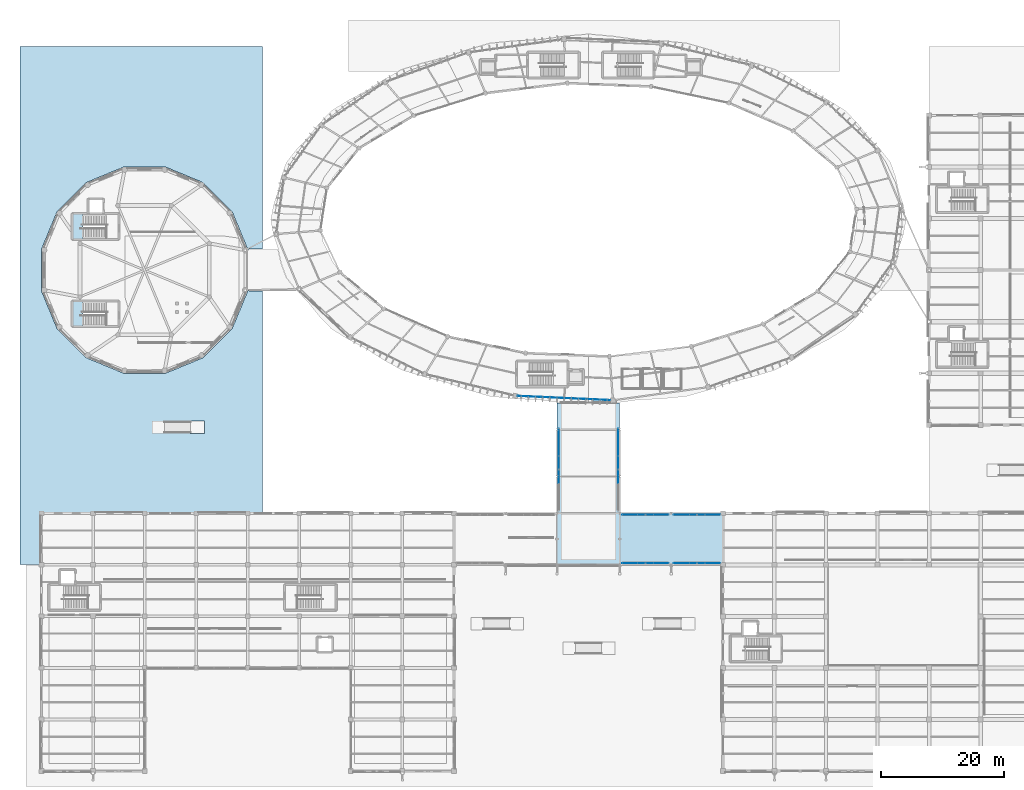
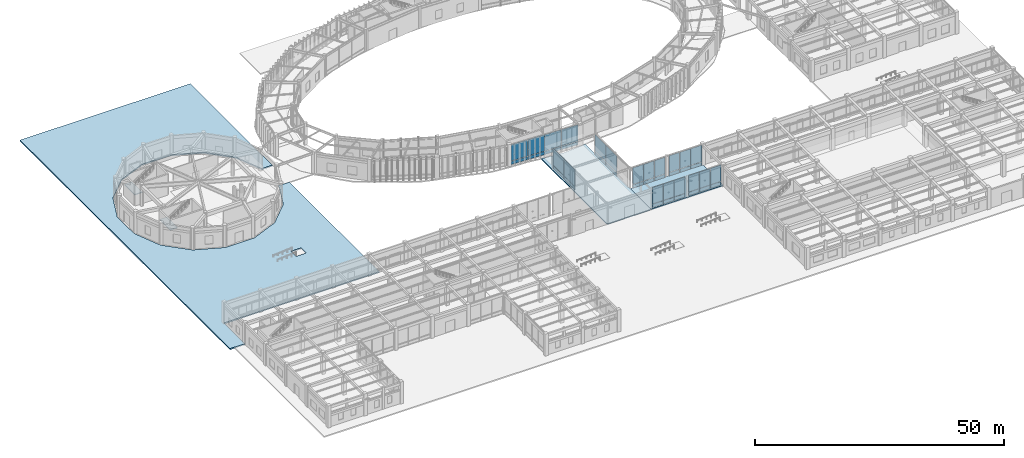
# One storey, part 113 of 157: 40 plates, 5 slabs, 9 elements without a shape of their own.
"""IFC4 building model written with IfcOpenShell, lengths in metres."""

from ifc_helpers import new_model, si_unit, direction, frame, origin, origin_2d, place, context, subcontext, project, spatial, polyline, rectangle, outline, extrude, material, layer, layer_set, type_object, element, aggregate, save


model = new_model("IFC4")

# Units and contexts
model_context = context("Model", 3, precision=1e-05, world=origin(), true_north=direction((0.0, 1.0)))
body_context = subcontext(model_context, "Body", "Model", "MODEL_VIEW")
ifc_project = project(units=[si_unit("LENGTHUNIT", "METRE"), si_unit("AREAUNIT", "SQUARE_METRE"), si_unit("VOLUMEUNIT", "CUBIC_METRE"), si_unit("PLANEANGLEUNIT", "RADIAN"), si_unit("MASSUNIT", "GRAM", prefix="KILO"), si_unit("THERMODYNAMICTEMPERATUREUNIT", "KELVIN"), si_unit("POWERUNIT", "WATT")], contexts=[model_context])

# Site, building, storey
site_placement = place(None, origin())
site = spatial("IfcSite", under=ifc_project, at=site_placement, CompositionType="ELEMENT")
building_placement = place(site_placement, origin())
building = spatial("IfcBuilding", under=site, at=building_placement, Name="Darbajah Civic Hall", CompositionType="ELEMENT")
storey_placement = place(building_placement, origin())
storey = spatial("IfcBuildingStorey", under=building, at=storey_placement, Name="L00", CompositionType="ELEMENT", Elevation=0.0)

# Slab
ifc_material_1 = material(Name="Concrete C45/55", Category="concrete")
ifc_layer_1 = layer(ifc_material_1, 0.300048828125, Name="Concrete C45/55")
ifc_layer_set_1 = layer_set([ifc_layer_1], Name="Concrete C45/55")
slab_type_1 = type_object("IfcSlabType", Name="Exterior Plaza Deck Slab 300mm", PredefinedType="FLOOR", material=ifc_layer_set_1)
slab_1_placement = place(storey_placement, frame((0.0, 0.0, -0.300048828125)))
element("IfcSlab", 1, at=slab_1_placement, inside=storey, type_object=slab_type_1, Name="L00 exterior civic plaza deck APR-W-3", PredefinedType="FLOOR", context=body_context, shape_type="SweptSolid", body=[
    extrude(outline(polyline([(36.0, 42.02001953125), (0.0, 42.02001953125), (-0.001953125, 42.02001953125), (-0.00390625, 42.01953125), (-0.005859375, 42.01904296875), (-0.0078125, 42.0185546875), (-0.009521484375, 42.017578125), (-0.010986328125, 42.0166015625), (-0.0126953125, 42.015380859375), (-0.01416015625, 42.01416015625), (-0.015380859375, 42.0126953125), (-0.0166015625, 42.010986328125), (-0.017578125, 42.009521484375), (-0.0185546875, 42.0078125), (-0.01904296875, 42.005859375), (-0.01953125, 42.00390625), (-0.02001953125, 42.001953125), (-0.02001953125, 42.0), (-0.02001953125, 33.6201171875), (-2.5, 33.6201171875), (-2.5, 33.6201171875), (-3.5, 33.6201171875), (-3.5, 118.0), (36.0, 118.0), (36.0, 85.02001953125), (33.85009765625, 85.02001953125), (33.847900390625, 85.02001953125), (33.84619140625, 85.01953125), (33.84423828125, 85.01904296875), (33.84228515625, 85.0185546875), (33.840576171875, 85.017578125), (33.8388671875, 85.0166015625), (33.83740234375, 85.015380859375), (33.8359375, 85.01416015625), (33.6201171875, 84.79833984375), (33.6201171875, 84.941650390625), (33.619873046875, 84.943603515625), (33.61962890625, 84.945556640625), (33.619140625, 84.947509765625), (33.618408203125, 84.949462890625), (31.060791015625, 91.1240234375), (31.06005859375, 91.125732421875), (31.05908203125, 91.12744140625), (31.057861328125, 91.129150390625), (31.056396484375, 91.130615234375), (26.33056640625, 95.8564453125), (26.3291015625, 95.85791015625), (26.327392578125, 95.85888671875), (26.32568359375, 95.860107421875), (26.32421875, 95.86083984375), (20.1494140625, 98.41845703125), (20.1474609375, 98.419189453125), (20.1455078125, 98.419677734375), (20.143798828125, 98.419921875), (20.1416015625, 98.419921875), (13.458251953125, 98.419921875), (13.456298828125, 98.419921875), (13.454345703125, 98.419677734375), (13.452392578125, 98.419189453125), (13.45068359375, 98.41845703125), (7.27587890625, 95.86083984375), (7.274169921875, 95.860107421875), (7.2724609375, 95.85888671875), (7.27099609375, 95.85791015625), (7.26953125, 95.8564453125), (2.54345703125, 91.130615234375), (2.5419921875, 91.129150390625), (2.541015625, 91.12744140625), (2.5400390625, 91.125732421875), (2.5390625, 91.1240234375), (-0.0185546875, 84.949462890625), (-0.01904296875, 84.947509765625), (-0.01953125, 84.945556640625), (-0.02001953125, 84.943603515625), (-0.02001953125, 84.941650390625), (-0.02001953125, 78.25830078125), (-0.02001953125, 78.25634765625), (-0.01953125, 78.25439453125), (-0.01904296875, 78.25244140625), (-0.0185546875, 78.25048828125), (2.5390625, 72.075927734375), (2.5400390625, 72.07421875), (2.541015625, 72.072509765625), (2.5419921875, 72.07080078125), (2.54345703125, 72.069580078125), (7.26953125, 67.343505859375), (7.27099609375, 67.342041015625), (7.2724609375, 67.341064453125), (7.274169921875, 67.340087890625), (7.27587890625, 67.339111328125), (13.45068359375, 64.781494140625), (13.452392578125, 64.781005859375), (13.454345703125, 64.780517578125), (13.456298828125, 64.780029296875), (13.458251953125, 64.780029296875), (20.1416015625, 64.780029296875), (20.143798828125, 64.780029296875), (20.1455078125, 64.780517578125), (20.1474609375, 64.781005859375), (20.1494140625, 64.781494140625), (26.32421875, 67.339111328125), (26.32568359375, 67.340087890625), (26.327392578125, 67.341064453125), (26.3291015625, 67.342041015625), (26.33056640625, 67.343505859375), (31.056396484375, 72.069580078125), (31.057861328125, 72.07080078125), (31.05908203125, 72.072509765625), (31.06005859375, 72.07421875), (31.060791015625, 72.075927734375), (33.618408203125, 78.25048828125), (33.619140625, 78.25244140625), (33.61962890625, 78.25439453125), (33.619873046875, 78.25634765625), (33.6201171875, 78.25830078125), (33.6201171875, 78.401611328125), (33.8359375, 78.185791015625), (33.83740234375, 78.1845703125), (33.8388671875, 78.183349609375), (33.840576171875, 78.182373046875), (33.84228515625, 78.181396484375), (33.84423828125, 78.180908203125), (33.84619140625, 78.180419921875), (33.847900390625, 78.18017578125), (33.85009765625, 78.179931640625), (36.0, 78.179931640625), (36.0, 42.02001953125)]), holes=[polyline([(26.559814453125, 54.97802734375), (26.56005859375, 54.97998046875), (26.56005859375, 57.02001953125), (26.559814453125, 57.02197265625), (26.5595703125, 57.02392578125), (26.55908203125, 57.02587890625), (26.55859375, 57.027587890625), (26.5576171875, 57.029296875), (26.556640625, 57.031005859375), (26.555419921875, 57.03271484375), (26.55419921875, 57.0341796875), (26.552734375, 57.035400390625), (26.551025390625, 57.03662109375), (26.54931640625, 57.03759765625), (26.547607421875, 57.03857421875), (26.5458984375, 57.0390625), (26.5439453125, 57.03955078125), (26.5419921875, 57.039794921875), (26.5400390625, 57.0400390625), (24.239990234375, 57.0400390625), (24.238037109375, 57.039794921875), (24.236083984375, 57.03955078125), (24.234130859375, 57.0390625), (24.232421875, 57.03857421875), (24.230712890625, 57.03759765625), (24.22900390625, 57.03662109375), (24.227294921875, 57.035400390625), (24.225830078125, 57.0341796875), (24.224609375, 57.03271484375), (24.223388671875, 57.031005859375), (24.222412109375, 57.029296875), (24.221435546875, 57.027587890625), (24.220947265625, 57.02587890625), (24.220458984375, 57.02392578125), (24.22021484375, 57.02197265625), (24.219970703125, 57.02001953125), (24.219970703125, 54.97998046875), (24.22021484375, 54.97802734375), (24.220458984375, 54.97607421875), (24.220947265625, 54.97412109375), (24.221435546875, 54.972412109375), (24.222412109375, 54.970703125), (24.223388671875, 54.968994140625), (24.224609375, 54.96728515625), (24.225830078125, 54.9658203125), (24.227294921875, 54.964599609375), (24.22900390625, 54.96337890625), (24.230712890625, 54.96240234375), (24.232421875, 54.96142578125), (24.234130859375, 54.9609375), (24.236083984375, 54.96044921875), (24.238037109375, 54.960205078125), (24.239990234375, 54.9599609375), (26.5400390625, 54.9599609375), (26.5419921875, 54.960205078125), (26.5439453125, 54.96044921875), (26.5458984375, 54.9609375), (26.547607421875, 54.96142578125), (26.54931640625, 54.96240234375), (26.551025390625, 54.96337890625), (26.552734375, 54.964599609375), (26.55419921875, 54.9658203125), (26.555419921875, 54.96728515625), (26.556640625, 54.968994140625), (26.5576171875, 54.970703125), (26.55859375, 54.972412109375), (26.55908203125, 54.97412109375), (26.5595703125, 54.97607421875), (26.559814453125, 54.97802734375)])]), origin(), (0.0, 0.0, 1.0), 0.300048828125),
])

# Curtain wall, plates
ifc_material_2 = material(Name="Anodised Bronze Aluminium and Low-E Glazing", Category="aluminium")
curtain_wall_type_1 = type_object("IfcCurtainWallType", Name="Unitised Curtain Wall CW-14 15200x5100", PredefinedType="USERDEFINED", material=ifc_material_2)
curtain_wall_1_placement = place(storey_placement, origin())
curtain_wall_1 = element("IfcCurtainWall", 2, at=curtain_wall_1_placement, inside=storey, type_object=curtain_wall_type_1, Name="L00 unitised curtain wall CW-V1O-L00-14", ObjectType="UNITISED CURTAIN WALL", PredefinedType="USERDEFINED")
ifc_material_3 = material(Name="Low-E Solar Control Double Glazing", Category="glass")
ifc_layer_2 = layer(ifc_material_3, 0.02392578125, Name="Low-E Solar Control Double Glazing")
ifc_layer_set_2 = layer_set([ifc_layer_2], Name="Low-E Solar Control Double Glazing")
plate_type = type_object("IfcPlateType", Name="Solar Double Glazing 24mm", PredefinedType="CURTAIN_PANEL", material=ifc_layer_set_2)
plate_1_placement = place(storey_placement, frame((79.465087890625, 61.01171875, 0.10009765625), z_axis=(0.0, 0.0, 1.0), x_axis=(0.998962637241, -0.045537340693, 0.0)))
plate_1 = element("IfcPlate", 3, at=plate_1_placement, type_object=plate_type, Name="CW-V1O-L00-14 glazed panel 1.1", PredefinedType="CURTAIN_PANEL", context=body_context, shape_type="SweptSolid", body=[
    extrude(rectangle(XDim=3.727294921875, YDim=0.02392578125, at=origin_2d()), origin(), (0.0, 0.0, 1.0), 0.800048828125),
])
plate_2_placement = place(storey_placement, frame((79.465087890625, 61.01171875, 1.0), z_axis=(0.0, 0.0, 1.0), x_axis=(0.998962637241, -0.045537340693, 0.0)))
plate_2 = element("IfcPlate", 4, at=plate_2_placement, type_object=plate_type, Name="CW-V1O-L00-14 glazed panel 1.2", PredefinedType="CURTAIN_PANEL", context=body_context, shape_type="SweptSolid", body=[
    extrude(rectangle(XDim=3.727294921875, YDim=0.02392578125, at=origin_2d()), origin(), (0.0, 0.0, 1.0), 4.02001953125),
])
plate_3_placement = place(storey_placement, frame((83.253662109375, 60.839111328125, 0.10009765625), z_axis=(0.0, 0.0, 1.0), x_axis=(0.998962637241, -0.045537340693, 0.0)))
plate_3 = element("IfcPlate", 5, at=plate_3_placement, type_object=plate_type, Name="CW-V1O-L00-14 glazed panel 2.1", PredefinedType="CURTAIN_PANEL", context=body_context, shape_type="SweptSolid", body=[
    extrude(rectangle(XDim=3.727294921875, YDim=0.02392578125, at=origin_2d()), origin(), (0.0, 0.0, 1.0), 0.800048828125),
])
plate_4_placement = place(storey_placement, frame((83.253662109375, 60.839111328125, 1.0), z_axis=(0.0, 0.0, 1.0), x_axis=(0.998962637241, -0.045537340693, 0.0)))
plate_4 = element("IfcPlate", 6, at=plate_4_placement, type_object=plate_type, Name="CW-V1O-L00-14 glazed panel 2.2", PredefinedType="CURTAIN_PANEL", context=body_context, shape_type="SweptSolid", body=[
    extrude(rectangle(XDim=3.727294921875, YDim=0.02392578125, at=origin_2d()), origin(), (0.0, 0.0, 1.0), 4.02001953125),
])
plate_5_placement = place(storey_placement, frame((87.0419921875, 60.666748046875, 0.10009765625), z_axis=(0.0, 0.0, 1.0), x_axis=(0.998962637241, -0.045537340693, 0.0)))
plate_5 = element("IfcPlate", 7, at=plate_5_placement, type_object=plate_type, Name="CW-V1O-L00-14 glazed panel 3.1", PredefinedType="CURTAIN_PANEL", context=body_context, shape_type="SweptSolid", body=[
    extrude(rectangle(XDim=3.727294921875, YDim=0.02392578125, at=origin_2d()), origin(), (0.0, 0.0, 1.0), 0.800048828125),
])
plate_6_placement = place(storey_placement, frame((87.0419921875, 60.666748046875, 1.0), z_axis=(0.0, 0.0, 1.0), x_axis=(0.998962637241, -0.045537340693, 0.0)))
plate_6 = element("IfcPlate", 8, at=plate_6_placement, type_object=plate_type, Name="CW-V1O-L00-14 glazed panel 3.2", PredefinedType="CURTAIN_PANEL", context=body_context, shape_type="SweptSolid", body=[
    extrude(rectangle(XDim=3.727294921875, YDim=0.02392578125, at=origin_2d()), origin(), (0.0, 0.0, 1.0), 4.02001953125),
])
plate_7_placement = place(storey_placement, frame((90.83056640625, 60.494384765625, 0.10009765625), z_axis=(0.0, 0.0, 1.0), x_axis=(0.998962637241, -0.045537340693, 0.0)))
plate_7 = element("IfcPlate", 9, at=plate_7_placement, type_object=plate_type, Name="CW-V1O-L00-14 glazed panel 4.1", PredefinedType="CURTAIN_PANEL", context=body_context, shape_type="SweptSolid", body=[
    extrude(rectangle(XDim=3.727294921875, YDim=0.02392578125, at=origin_2d()), origin(), (0.0, 0.0, 1.0), 0.800048828125),
])
plate_8_placement = place(storey_placement, frame((90.83056640625, 60.494384765625, 1.0), z_axis=(0.0, 0.0, 1.0), x_axis=(0.998962637241, -0.045537340693, 0.0)))
plate_8 = element("IfcPlate", 10, at=plate_8_placement, type_object=plate_type, Name="CW-V1O-L00-14 glazed panel 4.2", PredefinedType="CURTAIN_PANEL", context=body_context, shape_type="SweptSolid", body=[
    extrude(rectangle(XDim=3.727294921875, YDim=0.02392578125, at=origin_2d()), origin(), (0.0, 0.0, 1.0), 4.02001953125),
])
aggregate(curtain_wall_1, [plate_1, plate_2, plate_3, plate_4, plate_5, plate_6, plate_7, plate_8])

curtain_wall_type_2 = type_object("IfcCurtainWallType", Name="Unitised Curtain Wall CW-101 7600x5150", PredefinedType="USERDEFINED", material=ifc_material_2)
curtain_wall_2_placement = place(storey_placement, origin())
curtain_wall_2 = element("IfcCurtainWall", 11, at=curtain_wall_2_placement, inside=storey, type_object=curtain_wall_type_2, Name="L00 unitised curtain wall CW-V6-SE-S-L00", ObjectType="UNITISED CURTAIN WALL", PredefinedType="USERDEFINED")
plate_9_placement = place(storey_placement, frame((95.86669921875, 33.85009765625, 0.10009765625), z_axis=(0.0, 0.0, 1.0), x_axis=(1.0, 0.0, 0.0)))
plate_9 = element("IfcPlate", 12, at=plate_9_placement, type_object=plate_type, Name="CW-V6-SE-S-L00 glazed panel 1.1", PredefinedType="CURTAIN_PANEL", context=body_context, shape_type="SweptSolid", body=[
    extrude(rectangle(XDim=2.46826171875, YDim=0.02392578125, at=origin_2d()), origin(), (0.0, 0.0, 1.0), 0.800048828125),
])
plate_10_placement = place(storey_placement, frame((95.86669921875, 33.85009765625, 1.0), z_axis=(0.0, 0.0, 1.0), x_axis=(1.0, 0.0, 0.0)))
plate_10 = element("IfcPlate", 13, at=plate_10_placement, type_object=plate_type, Name="CW-V6-SE-S-L00 glazed panel 1.2", PredefinedType="CURTAIN_PANEL", context=body_context, shape_type="SweptSolid", body=[
    extrude(rectangle(XDim=2.46826171875, YDim=0.02392578125, at=origin_2d()), origin(), (0.0, 0.0, 1.0), 4.06005859375),
])
plate_11_placement = place(storey_placement, frame((98.39990234375, 33.85009765625, 0.10009765625), z_axis=(0.0, 0.0, 1.0), x_axis=(1.0, 0.0, 0.0)))
plate_11 = element("IfcPlate", 14, at=plate_11_placement, type_object=plate_type, Name="CW-V6-SE-S-L00 glazed panel 2.1", PredefinedType="CURTAIN_PANEL", context=body_context, shape_type="SweptSolid", body=[
    extrude(rectangle(XDim=2.46826171875, YDim=0.02392578125, at=origin_2d()), origin(), (0.0, 0.0, 1.0), 0.800048828125),
])
plate_12_placement = place(storey_placement, frame((98.39990234375, 33.85009765625, 1.0), z_axis=(0.0, 0.0, 1.0), x_axis=(1.0, 0.0, 0.0)))
plate_12 = element("IfcPlate", 15, at=plate_12_placement, type_object=plate_type, Name="CW-V6-SE-S-L00 glazed panel 2.2", PredefinedType="CURTAIN_PANEL", context=body_context, shape_type="SweptSolid", body=[
    extrude(rectangle(XDim=2.46826171875, YDim=0.02392578125, at=origin_2d()), origin(), (0.0, 0.0, 1.0), 4.06005859375),
])
plate_13_placement = place(storey_placement, frame((100.933349609375, 33.85009765625, 0.10009765625), z_axis=(0.0, 0.0, 1.0), x_axis=(1.0, 0.0, 0.0)))
plate_13 = element("IfcPlate", 16, at=plate_13_placement, type_object=plate_type, Name="CW-V6-SE-S-L00 glazed panel 3.1", PredefinedType="CURTAIN_PANEL", context=body_context, shape_type="SweptSolid", body=[
    extrude(rectangle(XDim=2.46826171875, YDim=0.02392578125, at=origin_2d()), origin(), (0.0, 0.0, 1.0), 0.800048828125),
])
plate_14_placement = place(storey_placement, frame((100.933349609375, 33.85009765625, 1.0), z_axis=(0.0, 0.0, 1.0), x_axis=(1.0, 0.0, 0.0)))
plate_14 = element("IfcPlate", 17, at=plate_14_placement, type_object=plate_type, Name="CW-V6-SE-S-L00 glazed panel 3.2", PredefinedType="CURTAIN_PANEL", context=body_context, shape_type="SweptSolid", body=[
    extrude(rectangle(XDim=2.46826171875, YDim=0.02392578125, at=origin_2d()), origin(), (0.0, 0.0, 1.0), 4.06005859375),
])
aggregate(curtain_wall_2, [plate_9, plate_10, plate_11, plate_12, plate_13, plate_14])

curtain_wall_3_placement = place(storey_placement, origin())
curtain_wall_3 = element("IfcCurtainWall", 18, at=curtain_wall_3_placement, inside=storey, type_object=curtain_wall_type_2, Name="L00 unitised curtain wall CW-V6-SE-S2-L00", ObjectType="UNITISED CURTAIN WALL", PredefinedType="USERDEFINED")
plate_15_placement = place(storey_placement, frame((104.2666015625, 33.85009765625, 0.10009765625), z_axis=(0.0, 0.0, 1.0), x_axis=(1.0, 0.0, 0.0)))
plate_15 = element("IfcPlate", 19, at=plate_15_placement, type_object=plate_type, Name="CW-V6-SE-S2-L00 glazed panel 1.1", PredefinedType="CURTAIN_PANEL", context=body_context, shape_type="SweptSolid", body=[
    extrude(rectangle(XDim=2.46826171875, YDim=0.02392578125, at=origin_2d()), origin(), (0.0, 0.0, 1.0), 0.800048828125),
])
plate_16_placement = place(storey_placement, frame((104.2666015625, 33.85009765625, 1.0), z_axis=(0.0, 0.0, 1.0), x_axis=(1.0, 0.0, 0.0)))
plate_16 = element("IfcPlate", 20, at=plate_16_placement, type_object=plate_type, Name="CW-V6-SE-S2-L00 glazed panel 1.2", PredefinedType="CURTAIN_PANEL", context=body_context, shape_type="SweptSolid", body=[
    extrude(rectangle(XDim=2.46826171875, YDim=0.02392578125, at=origin_2d()), origin(), (0.0, 0.0, 1.0), 4.06005859375),
])
plate_17_placement = place(storey_placement, frame((106.800048828125, 33.85009765625, 0.10009765625), z_axis=(0.0, 0.0, 1.0), x_axis=(1.0, 0.0, 0.0)))
plate_17 = element("IfcPlate", 21, at=plate_17_placement, type_object=plate_type, Name="CW-V6-SE-S2-L00 glazed panel 2.1", PredefinedType="CURTAIN_PANEL", context=body_context, shape_type="SweptSolid", body=[
    extrude(rectangle(XDim=2.46826171875, YDim=0.02392578125, at=origin_2d()), origin(), (0.0, 0.0, 1.0), 0.800048828125),
])
plate_18_placement = place(storey_placement, frame((106.800048828125, 33.85009765625, 1.0), z_axis=(0.0, 0.0, 1.0), x_axis=(1.0, 0.0, 0.0)))
plate_18 = element("IfcPlate", 22, at=plate_18_placement, type_object=plate_type, Name="CW-V6-SE-S2-L00 glazed panel 2.2", PredefinedType="CURTAIN_PANEL", context=body_context, shape_type="SweptSolid", body=[
    extrude(rectangle(XDim=2.46826171875, YDim=0.02392578125, at=origin_2d()), origin(), (0.0, 0.0, 1.0), 4.06005859375),
])
plate_19_placement = place(storey_placement, frame((109.333251953125, 33.85009765625, 0.10009765625), z_axis=(0.0, 0.0, 1.0), x_axis=(1.0, 0.0, 0.0)))
plate_19 = element("IfcPlate", 23, at=plate_19_placement, type_object=plate_type, Name="CW-V6-SE-S2-L00 glazed panel 3.1", PredefinedType="CURTAIN_PANEL", context=body_context, shape_type="SweptSolid", body=[
    extrude(rectangle(XDim=2.46826171875, YDim=0.02392578125, at=origin_2d()), origin(), (0.0, 0.0, 1.0), 0.800048828125),
])
plate_20_placement = place(storey_placement, frame((109.333251953125, 33.85009765625, 1.0), z_axis=(0.0, 0.0, 1.0), x_axis=(1.0, 0.0, 0.0)))
plate_20 = element("IfcPlate", 24, at=plate_20_placement, type_object=plate_type, Name="CW-V6-SE-S2-L00 glazed panel 3.2", PredefinedType="CURTAIN_PANEL", context=body_context, shape_type="SweptSolid", body=[
    extrude(rectangle(XDim=2.46826171875, YDim=0.02392578125, at=origin_2d()), origin(), (0.0, 0.0, 1.0), 4.06005859375),
])
aggregate(curtain_wall_3, [plate_15, plate_16, plate_17, plate_18, plate_19, plate_20])

curtain_wall_4_placement = place(storey_placement, origin())
curtain_wall_4 = element("IfcCurtainWall", 25, at=curtain_wall_4_placement, inside=storey, type_object=curtain_wall_type_2, Name="L00 unitised curtain wall CW-V6-SE-N-L00", ObjectType="UNITISED CURTAIN WALL", PredefinedType="USERDEFINED")
plate_21_placement = place(storey_placement, frame((95.86669921875, 41.75, 0.10009765625), z_axis=(0.0, 0.0, 1.0), x_axis=(1.0, 0.0, 0.0)))
plate_21 = element("IfcPlate", 26, at=plate_21_placement, type_object=plate_type, Name="CW-V6-SE-N-L00 glazed panel 1.1", PredefinedType="CURTAIN_PANEL", context=body_context, shape_type="SweptSolid", body=[
    extrude(rectangle(XDim=2.46826171875, YDim=0.02392578125, at=origin_2d()), origin(), (0.0, 0.0, 1.0), 0.800048828125),
])
plate_22_placement = place(storey_placement, frame((95.86669921875, 41.75, 1.0), z_axis=(0.0, 0.0, 1.0), x_axis=(1.0, 0.0, 0.0)))
plate_22 = element("IfcPlate", 27, at=plate_22_placement, type_object=plate_type, Name="CW-V6-SE-N-L00 glazed panel 1.2", PredefinedType="CURTAIN_PANEL", context=body_context, shape_type="SweptSolid", body=[
    extrude(rectangle(XDim=2.46826171875, YDim=0.02392578125, at=origin_2d()), origin(), (0.0, 0.0, 1.0), 4.06005859375),
])
plate_23_placement = place(storey_placement, frame((98.39990234375, 41.75, 0.10009765625), z_axis=(0.0, 0.0, 1.0), x_axis=(1.0, 0.0, 0.0)))
plate_23 = element("IfcPlate", 28, at=plate_23_placement, type_object=plate_type, Name="CW-V6-SE-N-L00 glazed panel 2.1", PredefinedType="CURTAIN_PANEL", context=body_context, shape_type="SweptSolid", body=[
    extrude(rectangle(XDim=2.46826171875, YDim=0.02392578125, at=origin_2d()), origin(), (0.0, 0.0, 1.0), 0.800048828125),
])
plate_24_placement = place(storey_placement, frame((98.39990234375, 41.75, 1.0), z_axis=(0.0, 0.0, 1.0), x_axis=(1.0, 0.0, 0.0)))
plate_24 = element("IfcPlate", 29, at=plate_24_placement, type_object=plate_type, Name="CW-V6-SE-N-L00 glazed panel 2.2", PredefinedType="CURTAIN_PANEL", context=body_context, shape_type="SweptSolid", body=[
    extrude(rectangle(XDim=2.46826171875, YDim=0.02392578125, at=origin_2d()), origin(), (0.0, 0.0, 1.0), 4.06005859375),
])
plate_25_placement = place(storey_placement, frame((100.933349609375, 41.75, 0.10009765625), z_axis=(0.0, 0.0, 1.0), x_axis=(1.0, 0.0, 0.0)))
plate_25 = element("IfcPlate", 30, at=plate_25_placement, type_object=plate_type, Name="CW-V6-SE-N-L00 glazed panel 3.1", PredefinedType="CURTAIN_PANEL", context=body_context, shape_type="SweptSolid", body=[
    extrude(rectangle(XDim=2.46826171875, YDim=0.02392578125, at=origin_2d()), origin(), (0.0, 0.0, 1.0), 0.800048828125),
])
plate_26_placement = place(storey_placement, frame((100.933349609375, 41.75, 1.0), z_axis=(0.0, 0.0, 1.0), x_axis=(1.0, 0.0, 0.0)))
plate_26 = element("IfcPlate", 31, at=plate_26_placement, type_object=plate_type, Name="CW-V6-SE-N-L00 glazed panel 3.2", PredefinedType="CURTAIN_PANEL", context=body_context, shape_type="SweptSolid", body=[
    extrude(rectangle(XDim=2.46826171875, YDim=0.02392578125, at=origin_2d()), origin(), (0.0, 0.0, 1.0), 4.06005859375),
])
aggregate(curtain_wall_4, [plate_21, plate_22, plate_23, plate_24, plate_25, plate_26])

curtain_wall_5_placement = place(storey_placement, origin())
curtain_wall_5 = element("IfcCurtainWall", 32, at=curtain_wall_5_placement, inside=storey, type_object=curtain_wall_type_2, Name="L00 unitised curtain wall CW-V6-SE-N2-L00", ObjectType="UNITISED CURTAIN WALL", PredefinedType="USERDEFINED")
plate_27_placement = place(storey_placement, frame((104.2666015625, 41.75, 0.10009765625), z_axis=(0.0, 0.0, 1.0), x_axis=(1.0, 0.0, 0.0)))
plate_27 = element("IfcPlate", 33, at=plate_27_placement, type_object=plate_type, Name="CW-V6-SE-N2-L00 glazed panel 1.1", PredefinedType="CURTAIN_PANEL", context=body_context, shape_type="SweptSolid", body=[
    extrude(rectangle(XDim=2.46826171875, YDim=0.02392578125, at=origin_2d()), origin(), (0.0, 0.0, 1.0), 0.800048828125),
])
plate_28_placement = place(storey_placement, frame((104.2666015625, 41.75, 1.0), z_axis=(0.0, 0.0, 1.0), x_axis=(1.0, 0.0, 0.0)))
plate_28 = element("IfcPlate", 34, at=plate_28_placement, type_object=plate_type, Name="CW-V6-SE-N2-L00 glazed panel 1.2", PredefinedType="CURTAIN_PANEL", context=body_context, shape_type="SweptSolid", body=[
    extrude(rectangle(XDim=2.46826171875, YDim=0.02392578125, at=origin_2d()), origin(), (0.0, 0.0, 1.0), 4.06005859375),
])
plate_29_placement = place(storey_placement, frame((106.800048828125, 41.75, 0.10009765625), z_axis=(0.0, 0.0, 1.0), x_axis=(1.0, 0.0, 0.0)))
plate_29 = element("IfcPlate", 35, at=plate_29_placement, type_object=plate_type, Name="CW-V6-SE-N2-L00 glazed panel 2.1", PredefinedType="CURTAIN_PANEL", context=body_context, shape_type="SweptSolid", body=[
    extrude(rectangle(XDim=2.46826171875, YDim=0.02392578125, at=origin_2d()), origin(), (0.0, 0.0, 1.0), 0.800048828125),
])
plate_30_placement = place(storey_placement, frame((106.800048828125, 41.75, 1.0), z_axis=(0.0, 0.0, 1.0), x_axis=(1.0, 0.0, 0.0)))
plate_30 = element("IfcPlate", 36, at=plate_30_placement, type_object=plate_type, Name="CW-V6-SE-N2-L00 glazed panel 2.2", PredefinedType="CURTAIN_PANEL", context=body_context, shape_type="SweptSolid", body=[
    extrude(rectangle(XDim=2.46826171875, YDim=0.02392578125, at=origin_2d()), origin(), (0.0, 0.0, 1.0), 4.06005859375),
])
plate_31_placement = place(storey_placement, frame((109.333251953125, 41.75, 0.10009765625), z_axis=(0.0, 0.0, 1.0), x_axis=(1.0, 0.0, 0.0)))
plate_31 = element("IfcPlate", 37, at=plate_31_placement, type_object=plate_type, Name="CW-V6-SE-N2-L00 glazed panel 3.1", PredefinedType="CURTAIN_PANEL", context=body_context, shape_type="SweptSolid", body=[
    extrude(rectangle(XDim=2.46826171875, YDim=0.02392578125, at=origin_2d()), origin(), (0.0, 0.0, 1.0), 0.800048828125),
])
plate_32_placement = place(storey_placement, frame((109.333251953125, 41.75, 1.0), z_axis=(0.0, 0.0, 1.0), x_axis=(1.0, 0.0, 0.0)))
plate_32 = element("IfcPlate", 38, at=plate_32_placement, type_object=plate_type, Name="CW-V6-SE-N2-L00 glazed panel 3.2", PredefinedType="CURTAIN_PANEL", context=body_context, shape_type="SweptSolid", body=[
    extrude(rectangle(XDim=2.46826171875, YDim=0.02392578125, at=origin_2d()), origin(), (0.0, 0.0, 1.0), 4.06005859375),
])
aggregate(curtain_wall_5, [plate_27, plate_28, plate_29, plate_30, plate_31, plate_32])

curtain_wall_type_3 = type_object("IfcCurtainWallType", Name="Unitised Curtain Wall CW-102 13400x5150", PredefinedType="USERDEFINED", material=ifc_material_2)
curtain_wall_6_placement = place(storey_placement, origin())
curtain_wall_6 = element("IfcCurtainWall", 39, at=curtain_wall_6_placement, inside=storey, type_object=curtain_wall_type_3, Name="L00 unitised curtain wall CW-V6-PW-L00", ObjectType="UNITISED CURTAIN WALL", PredefinedType="USERDEFINED")
plate_33_placement = place(storey_placement, frame((84.25, 49.10009765625, 0.10009765625), z_axis=(0.0, 0.0, 1.0), x_axis=(0.0, 1.0, 0.0)))
plate_33 = element("IfcPlate", 40, at=plate_33_placement, type_object=plate_type, Name="CW-V6-PW-L00 glazed panel 2.1", PredefinedType="CURTAIN_PANEL", context=body_context, shape_type="SweptSolid", body=[
    extrude(rectangle(XDim=4.401611328125, YDim=0.02392578125, at=origin_2d()), origin(), (0.0, 0.0, 1.0), 0.800048828125),
])
plate_34_placement = place(storey_placement, frame((84.25, 49.10009765625, 1.0), z_axis=(0.0, 0.0, 1.0), x_axis=(0.0, 1.0, 0.0)))
plate_34 = element("IfcPlate", 41, at=plate_34_placement, type_object=plate_type, Name="CW-V6-PW-L00 glazed panel 2.2", PredefinedType="CURTAIN_PANEL", context=body_context, shape_type="SweptSolid", body=[
    extrude(rectangle(XDim=4.401611328125, YDim=0.02392578125, at=origin_2d()), origin(), (0.0, 0.0, 1.0), 4.06005859375),
])
plate_35_placement = place(storey_placement, frame((84.25, 53.566650390625, 0.10009765625), z_axis=(0.0, 0.0, 1.0), x_axis=(0.0, 1.0, 0.0)))
plate_35 = element("IfcPlate", 42, at=plate_35_placement, type_object=plate_type, Name="CW-V6-PW-L00 glazed panel 3.1", PredefinedType="CURTAIN_PANEL", context=body_context, shape_type="SweptSolid", body=[
    extrude(rectangle(XDim=4.401611328125, YDim=0.02392578125, at=origin_2d()), origin(), (0.0, 0.0, 1.0), 0.800048828125),
])
plate_36_placement = place(storey_placement, frame((84.25, 53.566650390625, 1.0), z_axis=(0.0, 0.0, 1.0), x_axis=(0.0, 1.0, 0.0)))
plate_36 = element("IfcPlate", 43, at=plate_36_placement, type_object=plate_type, Name="CW-V6-PW-L00 glazed panel 3.2", PredefinedType="CURTAIN_PANEL", context=body_context, shape_type="SweptSolid", body=[
    extrude(rectangle(XDim=4.401611328125, YDim=0.02392578125, at=origin_2d()), origin(), (0.0, 0.0, 1.0), 4.06005859375),
])
aggregate(curtain_wall_6, [plate_33, plate_34, plate_35, plate_36])

curtain_wall_7_placement = place(storey_placement, origin())
curtain_wall_7 = element("IfcCurtainWall", 44, at=curtain_wall_7_placement, inside=storey, type_object=curtain_wall_type_3, Name="L00 unitised curtain wall CW-V6-PE-L00", ObjectType="UNITISED CURTAIN WALL", PredefinedType="USERDEFINED")
plate_37_placement = place(storey_placement, frame((93.949951171875, 49.10009765625, 0.10009765625), z_axis=(0.0, 0.0, 1.0), x_axis=(0.0, 1.0, 0.0)))
plate_37 = element("IfcPlate", 45, at=plate_37_placement, type_object=plate_type, Name="CW-V6-PE-L00 glazed panel 2.1", PredefinedType="CURTAIN_PANEL", context=body_context, shape_type="SweptSolid", body=[
    extrude(rectangle(XDim=4.401611328125, YDim=0.02392578125, at=origin_2d()), origin(), (0.0, 0.0, 1.0), 0.800048828125),
])
plate_38_placement = place(storey_placement, frame((93.949951171875, 49.10009765625, 1.0), z_axis=(0.0, 0.0, 1.0), x_axis=(0.0, 1.0, 0.0)))
plate_38 = element("IfcPlate", 46, at=plate_38_placement, type_object=plate_type, Name="CW-V6-PE-L00 glazed panel 2.2", PredefinedType="CURTAIN_PANEL", context=body_context, shape_type="SweptSolid", body=[
    extrude(rectangle(XDim=4.401611328125, YDim=0.02392578125, at=origin_2d()), origin(), (0.0, 0.0, 1.0), 4.06005859375),
])
plate_39_placement = place(storey_placement, frame((93.949951171875, 53.566650390625, 0.10009765625), z_axis=(0.0, 0.0, 1.0), x_axis=(0.0, 1.0, 0.0)))
plate_39 = element("IfcPlate", 47, at=plate_39_placement, type_object=plate_type, Name="CW-V6-PE-L00 glazed panel 3.1", PredefinedType="CURTAIN_PANEL", context=body_context, shape_type="SweptSolid", body=[
    extrude(rectangle(XDim=4.401611328125, YDim=0.02392578125, at=origin_2d()), origin(), (0.0, 0.0, 1.0), 0.800048828125),
])
plate_40_placement = place(storey_placement, frame((93.949951171875, 53.566650390625, 1.0), z_axis=(0.0, 0.0, 1.0), x_axis=(0.0, 1.0, 0.0)))
plate_40 = element("IfcPlate", 48, at=plate_40_placement, type_object=plate_type, Name="CW-V6-PE-L00 glazed panel 3.2", PredefinedType="CURTAIN_PANEL", context=body_context, shape_type="SweptSolid", body=[
    extrude(rectangle(XDim=4.401611328125, YDim=0.02392578125, at=origin_2d()), origin(), (0.0, 0.0, 1.0), 4.06005859375),
])
aggregate(curtain_wall_7, [plate_37, plate_38, plate_39, plate_40])

# Stair, slab
stair_type = type_object("IfcStairType", Name="Half Turn Stair 1650x5400", PredefinedType="HALF_TURN_STAIR", material=ifc_material_1)
stair_1_placement = place(storey_placement, origin())
stair_1 = element("IfcStair", 49, at=stair_1_placement, inside=storey, type_object=stair_type, Name="L00 enclosed exit stair ST04", PredefinedType="HALF_TURN_STAIR")
ifc_layer_3 = layer(ifc_material_1, 0.199951171875, Name="Concrete C45/55")
ifc_layer_set_3 = layer_set([ifc_layer_3], Name="Concrete C45/55")
slab_type_2 = type_object("IfcSlabType", Name="Stair Landing Slab 200mm", PredefinedType="LANDING", material=ifc_layer_set_3)
slab_2_placement = place(storey_placement, frame((0.0, 0.0, 2.5)))
slab_2 = element("IfcSlab", 50, at=slab_2_placement, type_object=slab_type_2, Name="ST04 L00 half-landing", PredefinedType="LANDING", context=body_context, shape_type="SweptSolid", body=[
    extrude(outline(polyline([(5.0, 86.60009765625), (6.739990234375, 86.60009765625), (6.739990234375, 90.800048828125), (5.0, 90.800048828125), (5.0, 86.60009765625)])), origin(), (0.0, 0.0, 1.0), 0.199951171875),
])
aggregate(stair_1, [slab_2])

stair_2_placement = place(storey_placement, origin())
stair_2 = element("IfcStair", 51, at=stair_2_placement, inside=storey, type_object=stair_type, Name="L00 enclosed exit stair ST05", PredefinedType="HALF_TURN_STAIR")
slab_3_placement = place(storey_placement, frame((0.0, 0.0, 2.5)))
slab_3 = element("IfcSlab", 52, at=slab_3_placement, type_object=slab_type_2, Name="ST05 L00 half-landing", PredefinedType="LANDING", context=body_context, shape_type="SweptSolid", body=[
    extrude(outline(polyline([(5.0, 72.39990234375), (6.739990234375, 72.39990234375), (6.739990234375, 76.60009765625), (5.0, 76.60009765625), (5.0, 72.39990234375)])), origin(), (0.0, 0.0, 1.0), 0.199951171875),
])
aggregate(stair_2, [slab_3])

# Slabs
ifc_layer_4 = layer(ifc_material_1, 0.239990234375, Name="Concrete C45/55")
ifc_layer_set_4 = layer_set([ifc_layer_4], Name="Concrete C45/55")
slab_type_3 = type_object("IfcSlabType", Name="Structural Floor Slab 240mm", PredefinedType="FLOOR", material=ifc_layer_set_4)
slab_4_placement = place(storey_placement, frame((0.0, 0.0, -0.239990234375)))
element("IfcSlab", 53, at=slab_4_placement, inside=storey, type_object=slab_type_3, Name="L00 Screened Link Walk P floor slab", PredefinedType="FLOOR", context=body_context, shape_type="SweptSolid", body=[
    extrude(outline(polyline([(94.199951171875, 33.85009765625), (93.949951171875, 33.60009765625), (84.25, 33.60009765625), (84.0, 33.85009765625), (84.0, 60.0078125), (85.05419921875, 59.86279296875), (85.056396484375, 59.862548828125), (89.095458984375, 59.497314453125), (89.10009765625, 59.4970703125), (89.1044921875, 59.497314453125), (93.1435546875, 59.862548828125), (93.14599609375, 59.86279296875), (94.199951171875, 60.0078125), (94.199951171875, 33.85009765625)])), origin(), (0.0, 0.0, 1.0), 0.239990234375),
])
slab_5_placement = place(storey_placement, frame((0.0, 0.0, -0.239990234375)))
element("IfcSlab", 54, at=slab_5_placement, inside=storey, type_object=slab_type_3, Name="L00 Screened Link Walk SE floor slab", PredefinedType="FLOOR", context=body_context, shape_type="SweptSolid", body=[
    extrude(outline(polyline([(94.199951171875, 33.85009765625), (94.199951171875, 41.75), (94.449951171875, 42.0), (110.75, 42.0), (111.0, 41.75), (111.0, 33.85009765625), (110.75, 33.60009765625), (94.449951171875, 33.60009765625), (94.199951171875, 33.85009765625)])), origin(), (0.0, 0.0, 1.0), 0.239990234375),
])

save(model, "model.ifc")
